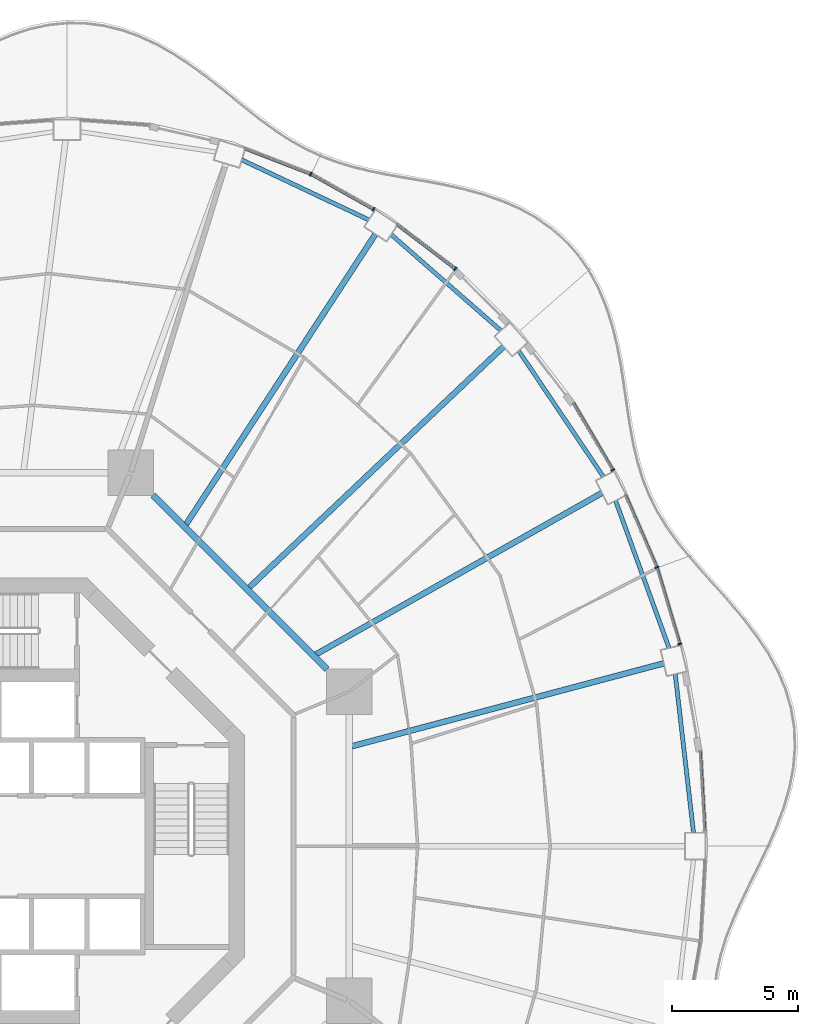
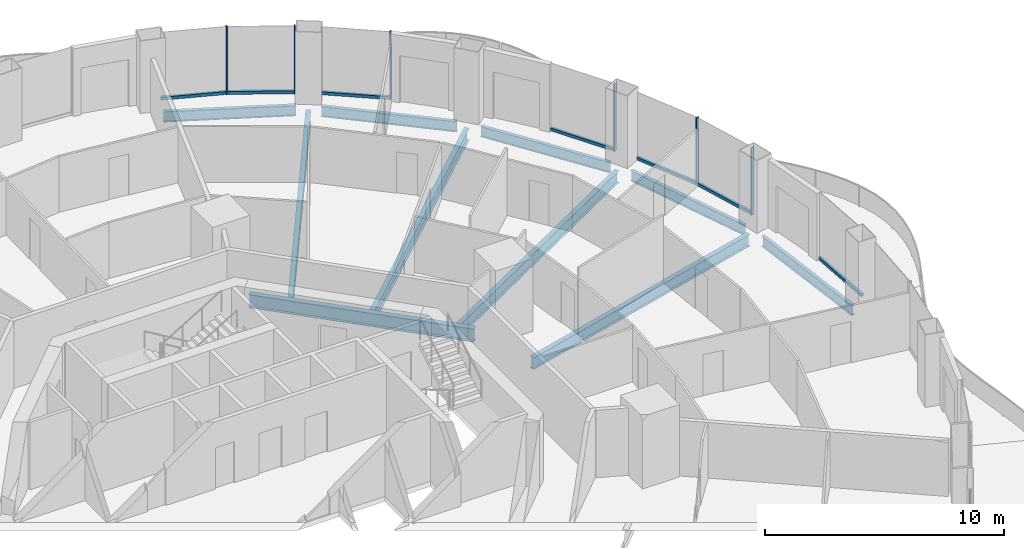
# One storey, part 8 of 19: 13 members, 10 beams, 7 elements without a shape of their own.
"""IFC4 building model written with IfcOpenShell, lengths in metres."""

import ifcopenshell
import ifcopenshell.guid

model = None  # the IFC model being written
_history = None  # IfcOwnerHistory: only IFC2X3 demands one
_inside = {}  # id of a spatial element -> (the spatial element, [elements in it])
_under = {}  # id of a project, library or spatial element -> (it, [spatial elements below it])
_declared = {}  # id of a project -> (the project, [libraries it declares])
_typed = {}  # id of a type object -> (the type object, [elements of that type])
_made_of = {}  # id of a material, layer set ... -> (it, [elements and type objects made of it])


def new_model(schema):
    """Start an empty IFC model of exactly this schema.

    Asked for "IFC4X3", IfcOpenShell would pick the latest addendum, in which some entities
    have other attributes; the version numbers below select the first issue.
    IFC2X3 requires an IfcOwnerHistory on every rooted entity: one is made here for all.
    """
    global model, _history
    if schema == "IFC4X3":
        model = ifcopenshell.file(schema_version=(4, 3, 0, 0))
    else:
        model = ifcopenshell.file(schema=schema)
    _inside.clear()
    _under.clear()
    _declared.clear()
    _typed.clear()
    _made_of.clear()
    _history = None
    if model.schema == "IFC2X3":
        org = make("IfcOrganization", Name="unknown")
        user = make(
            "IfcPersonAndOrganization",
            ThePerson=make("IfcPerson", FamilyName="unknown"),
            TheOrganization=org,
        )
        app = make(
            "IfcApplication",
            ApplicationDeveloper=org,
            Version="unknown",
            ApplicationFullName="unknown",
            ApplicationIdentifier="unknown",
        )
        _history = make(
            "IfcOwnerHistory",
            OwningUser=user,
            OwningApplication=app,
            ChangeAction="ADDED",
            CreationDate=0,
        )
    return model


def make(cls, **values):
    """One entity of the class cls with the attributes given. An attribute that is None is left unset."""
    return model.create_entity(
        cls, **{name: value for name, value in values.items() if value is not None}
    )


def rooted(cls, **values):
    """An entity with a GlobalId (a new one), such as an element, a storey or a relation."""
    return make(cls, GlobalId=ifcopenshell.guid.new(), OwnerHistory=_history, **values)


def si_unit(unit_type, name, prefix=None):
    """IfcSIUnit, for example si_unit("LENGTHUNIT", "METRE", prefix="MILLI")."""
    return make("IfcSIUnit", UnitType=unit_type, Prefix=prefix, Name=name)


def assignment(units):
    """IfcUnitAssignment: the units of a project."""
    return None if units is None else make("IfcUnitAssignment", Units=units)


def point(xyz):
    """IfcCartesianPoint."""
    return None if xyz is None else make("IfcCartesianPoint", Coordinates=xyz)


def direction(xyz):
    """IfcDirection."""
    return None if xyz is None else make("IfcDirection", DirectionRatios=xyz)


def frame(location, z_axis=None, x_axis=None):
    """IfcAxis2Placement3D, a coordinate frame: its origin and axes. An axis left out is left unset."""
    return make(
        "IfcAxis2Placement3D",
        Location=point(location),
        Axis=direction(z_axis),
        RefDirection=direction(x_axis),
    )


def frame_2d(location, x_axis=None):
    """IfcAxis2Placement2D, a coordinate frame in the plane: its origin and x axis."""
    return make(
        "IfcAxis2Placement2D", Location=point(location), RefDirection=direction(x_axis)
    )


def origin():
    """The frame at (0, 0, 0) with its axes left unset."""
    return frame((0.0, 0.0, 0.0))


def origin_2d():
    """The frame at (0, 0) in the plane with its x axis left unset."""
    return frame_2d((0.0, 0.0))


def place(relative_to, where):
    """IfcLocalPlacement: puts the frame where relative to a parent placement (None: the world)."""
    return make(
        "IfcLocalPlacement", PlacementRelTo=relative_to, RelativePlacement=where
    )


def context(
    kind, dimensions, precision=None, world=None, true_north=None, identifier=None
):
    """IfcGeometricRepresentationContext, for example the 3D "Model" context."""
    return make(
        "IfcGeometricRepresentationContext",
        ContextIdentifier=identifier,
        ContextType=kind,
        CoordinateSpaceDimension=dimensions,
        Precision=precision,
        WorldCoordinateSystem=world,
        TrueNorth=true_north,
    )


def subcontext(parent, identifier, kind, view, scale=None):
    """IfcGeometricRepresentationSubContext, for example "Body" below "Model"."""
    return make(
        "IfcGeometricRepresentationSubContext",
        ContextIdentifier=identifier,
        ContextType=kind,
        ParentContext=parent,
        TargetScale=scale,
        TargetView=view,
    )


def project(units=None, contexts=None):
    """IfcProject with its units and contexts."""
    return rooted(
        "IfcProject",
        Name="project",
        RepresentationContexts=contexts,
        UnitsInContext=assignment(units),
    )


def spatial(cls, under=None, at=None, **own):
    """A site, building, storey or space (cls), placed at a placement, below another one or the project."""
    s = rooted(cls, ObjectPlacement=at, **own)
    if under is not None:
        _under.setdefault(under.id(), (under, []))[1].append(s)
    return s


def profile(cls, at=None, kind="AREA", **sizes):
    """A parametric profile (cls). Its sizes go by their IFC names, for example OverallWidth=200.0."""
    return make(cls, ProfileType=kind, Position=at, **sizes)


def rectangle(**sizes):
    """IfcRectangleProfileDef."""
    return profile("IfcRectangleProfileDef", **sizes)


def i_section(**sizes):
    """IfcIShapeProfileDef."""
    return profile("IfcIShapeProfileDef", **sizes)


def extrude(swept, where, along, depth):
    """IfcExtrudedAreaSolid: the profile swept, set in the frame where, extruded along a direction by depth."""
    return make(
        "IfcExtrudedAreaSolid",
        SweptArea=swept,
        Position=where,
        ExtrudedDirection=direction(along),
        Depth=depth,
    )


def shape(context_of_items, identifier, shape_type, items):
    """IfcShapeRepresentation: the items that make up one representation, for example the "Body"."""
    return make(
        "IfcShapeRepresentation",
        ContextOfItems=context_of_items,
        RepresentationIdentifier=identifier,
        RepresentationType=shape_type,
        Items=items,
    )


def material(Name=None, Category=None):
    """IfcMaterial."""
    return make("IfcMaterial", Name=Name, Category=Category)


def layer(
    of_material, thickness, ventilated=None, Name=None, Category=None, Priority=None
):
    """IfcMaterialLayer: one layer of a wall or slab, of a material (None: an air gap)."""
    return make(
        "IfcMaterialLayer",
        Material=of_material,
        LayerThickness=thickness,
        IsVentilated=ventilated,
        Name=Name,
        Category=Category,
        Priority=Priority,
    )


def layer_set(layers, Name=None):
    """IfcMaterialLayerSet."""
    return make("IfcMaterialLayerSet", MaterialLayers=layers, LayerSetName=Name)


def material_profile(
    of_material, cross_section, Name=None, Category=None, Priority=None
):
    """IfcMaterialProfile: a cross section and its material."""
    return make(
        "IfcMaterialProfile",
        Name=Name,
        Material=of_material,
        Profile=cross_section,
        Priority=Priority,
        Category=Category,
    )


def profile_set(profiles, Name=None, composite=None):
    """IfcMaterialProfileSet."""
    return make(
        "IfcMaterialProfileSet",
        Name=Name,
        MaterialProfiles=profiles,
        CompositeProfile=composite,
    )


def made_of(thing, what):
    """Note that an element or type object is made of a material, layer set ...; save() writes the relation."""
    if what is not None:
        _made_of.setdefault(what.id(), (what, []))[1].append(thing)
    return thing


def type_object(cls, material=None, **own):
    """A type object (cls), such as IfcWallType, which elements share."""
    return made_of(rooted(cls, **own), material)


def element(
    cls,
    number,
    at=None,
    inside=None,
    cuts=None,
    type_object=None,
    material=None,
    context=None,
    identifier="Body",
    shape_type=None,
    held_by="IfcProductDefinitionShape",
    body=None,
    shapes=None,
    **own,
):
    """One element of the class cls, such as IfcWall. Its Tag is "e" and its number.

    at: its placement. inside: the storey or other place that contains it. cuts: it is an
    opening in that element (IfcRelVoidsElement). A single representation is given by context,
    identifier, shape_type and body (its items); several are given by shapes. held_by: the class
    of the entity that holds the representations. save() writes the other relations.
    """
    e = rooted(cls, Tag="e%d" % number, ObjectPlacement=at, **own)
    if body is not None:
        shapes = [shape(context, identifier, shape_type, body)]
    if shapes is not None:
        e.Representation = make(held_by, Representations=shapes)
    if inside is not None:
        _inside.setdefault(inside.id(), (inside, []))[1].append(e)
    if cuts is not None:
        rooted(
            "IfcRelVoidsElement", RelatingBuildingElement=cuts, RelatedOpeningElement=e
        )
    if type_object is not None:
        _typed.setdefault(type_object.id(), (type_object, []))[1].append(e)
    return made_of(e, material)


def aggregate(whole, parts):
    """IfcRelAggregates: a whole, such as a stair, and the parts it consists of."""
    return rooted("IfcRelAggregates", RelatingObject=whole, RelatedObjects=parts)


def save(model, path):
    """Write the relations noted so far, then the file.

    IfcRelAggregates (storeys below a building ...), IfcRelContainedInSpatialStructure (elements
    in a storey), IfcRelDefinesByType, IfcRelAssociatesMaterial and IfcRelDeclares: one each for
    every whole, place, type object, material and project.
    """
    for whole, parts in _under.values():
        aggregate(whole, parts)
    for where, things in _inside.values():
        rooted(
            "IfcRelContainedInSpatialStructure",
            RelatedElements=things,
            RelatingStructure=where,
        )
    for kind, things in _typed.values():
        rooted("IfcRelDefinesByType", RelatedObjects=things, RelatingType=kind)
    for what, things in _made_of.values():
        rooted("IfcRelAssociatesMaterial", RelatedObjects=things, RelatingMaterial=what)
    for by, libraries in _declared.values():
        rooted("IfcRelDeclares", RelatingContext=by, RelatedDefinitions=libraries)
    model.write(path)


model = new_model("IFC4")

# Units and contexts
model_context = context("Model", 3, precision=1e-05, world=origin(), true_north=direction((0.0, 1.0)))
body_context = subcontext(model_context, "Body", "Model", "MODEL_VIEW")
ifc_project = project(units=[si_unit("LENGTHUNIT", "METRE"), si_unit("AREAUNIT", "SQUARE_METRE"), si_unit("VOLUMEUNIT", "CUBIC_METRE"), si_unit("PLANEANGLEUNIT", "RADIAN"), si_unit("MASSUNIT", "GRAM", prefix="KILO")], contexts=[model_context])

# Site, building, storey
site_placement = place(None, origin())
site = spatial("IfcSite", under=ifc_project, at=site_placement, CompositionType="ELEMENT")
building_placement = place(site_placement, origin())
building = spatial("IfcBuilding", under=site, at=building_placement, Name="Nagisa Residences", CompositionType="ELEMENT")
storey_placement = place(building_placement, frame((0.0, 0.0, 188.10009765625)))
storey = spatial("IfcBuildingStorey", under=building, at=storey_placement, Name="L47", CompositionType="ELEMENT", Elevation=188.10009765625)

# Curtain wall, member
ifc_material_1 = material(Name="Concrete-coloured aluminium curtain wall system", Category="concrete")
ifc_layer = layer(ifc_material_1, 0.159912109375)
ifc_layer_set = layer_set([ifc_layer], Name="CW1 CURTAIN WALL")
curtain_wall_type = type_object("IfcCurtainWallType", Name="CW1 CURTAIN WALL", PredefinedType="NOTDEFINED", material=ifc_layer_set)
curtain_wall_1_placement = place(storey_placement, origin())
curtain_wall_1 = element("IfcCurtainWall", 1, at=curtain_wall_1_placement, inside=storey, type_object=curtain_wall_type, Name="cw:CW1:L47:02", PredefinedType="NOTDEFINED")
ifc_material_2 = material(Name="Concrete-coloured aluminium", Category="concrete")
ifc_material_profile_1 = material_profile(ifc_material_2, rectangle(XDim=0.159912109375, YDim=0.06005859375, at=origin_2d()), Name="CW1 MULLION 160x60")
ifc_profile_set_1 = profile_set([ifc_material_profile_1], Name="Concrete-coloured aluminium")
member_type_1 = type_object("IfcMemberType", Name="CW1 MULLION 160x60", PredefinedType="MULLION", material=ifc_profile_set_1)
member_1_placement = place(storey_placement, frame((27.867919921875, 8.00634765625, 0.0), z_axis=(0.0, 0.0, 1.0), x_axis=(-0.958271310082, -0.285860274038, 0.0)))
member_1 = element("IfcMember", 2, at=member_1_placement, type_object=member_type_1, Name="CW1 mullion", PredefinedType="MULLION", context=body_context, shape_type="SweptSolid", body=[
    extrude(rectangle(XDim=0.159912109375, YDim=0.06005859375, at=origin_2d()), origin(), (0.0, 0.0, 1.0), 3.43994140625),
])

curtain_wall_2_placement = place(storey_placement, origin())
curtain_wall_2 = element("IfcCurtainWall", 3, at=curtain_wall_2_placement, inside=storey, type_object=curtain_wall_type, Name="cw:CW1:L47:03", PredefinedType="NOTDEFINED")
member_2_placement = place(storey_placement, frame((26.9580078125, 11.045654296875, 0.0), z_axis=(0.0, 0.0, 1.0), x_axis=(-0.917543276295, -0.397635934147, 0.0)))
member_2 = element("IfcMember", 4, at=member_2_placement, type_object=member_type_1, Name="CW1 mullion", PredefinedType="MULLION", context=body_context, shape_type="SweptSolid", body=[
    extrude(rectangle(XDim=0.159912109375, YDim=0.06005859375, at=origin_2d()), origin(), (0.0, 0.0, 1.0), 3.43994140625),
])

curtain_wall_3_placement = place(storey_placement, origin())
curtain_wall_3 = element("IfcCurtainWall", 5, at=curtain_wall_3_placement, inside=storey, type_object=curtain_wall_type, Name="cw:CW1:L47:04", PredefinedType="NOTDEFINED")
member_3_placement = place(storey_placement, frame((25.212646484375, 14.897216796875, 0.0), z_axis=(0.0, 0.0, 1.0), x_axis=(-0.862328898214, -0.506348567002, 0.0)))
member_3 = element("IfcMember", 6, at=member_3_placement, type_object=member_type_1, Name="CW1 mullion", PredefinedType="MULLION", context=body_context, shape_type="SweptSolid", body=[
    extrude(rectangle(XDim=0.159912109375, YDim=0.06005859375, at=origin_2d()), origin(), (0.0, 0.0, 1.0), 3.43994140625),
])

curtain_wall_4_placement = place(storey_placement, origin())
curtain_wall_4 = element("IfcCurtainWall", 7, at=curtain_wall_4_placement, inside=storey, type_object=curtain_wall_type, Name="cw:CW1:L47:07", PredefinedType="NOTDEFINED")
member_4_placement = place(storey_placement, frame((18.97509765625, 22.862548828125, 0.0), z_axis=(0.0, 0.0, 1.0), x_axis=(-0.605255421737, -0.79603132756, 0.0)))
member_4 = element("IfcMember", 8, at=member_4_placement, type_object=member_type_1, Name="CW1 mullion", PredefinedType="MULLION", context=body_context, shape_type="SweptSolid", body=[
    extrude(rectangle(XDim=0.159912109375, YDim=0.06005859375, at=origin_2d()), origin(), (0.0, 0.0, 1.0), 3.43994140625),
])

curtain_wall_5_placement = place(storey_placement, origin())
curtain_wall_5 = element("IfcCurtainWall", 9, at=curtain_wall_5_placement, inside=storey, type_object=curtain_wall_type, Name="cw:CW1:L47:08", PredefinedType="NOTDEFINED")
member_5_placement = place(storey_placement, frame((15.742431640625, 25.220458984375, 0.0), z_axis=(0.0, 0.0, 1.0), x_axis=(-0.489376918501, -0.872072377523, 0.0)))
member_5 = element("IfcMember", 10, at=member_5_placement, type_object=member_type_1, Name="CW1 mullion", PredefinedType="MULLION", context=body_context, shape_type="SweptSolid", body=[
    extrude(rectangle(XDim=0.159912109375, YDim=0.06005859375, at=origin_2d()), origin(), (0.0, 0.0, 1.0), 3.43994140625),
])

curtain_wall_6_placement = place(storey_placement, origin())
curtain_wall_6 = element("IfcCurtainWall", 11, at=curtain_wall_6_placement, inside=storey, type_object=curtain_wall_type, Name="cw:CW1:L47:09", PredefinedType="NOTDEFINED")
member_6_placement = place(storey_placement, frame((13.253662109375, 26.61328125, 0.0), z_axis=(0.0, 0.0, 1.0), x_axis=(-0.360327770268, -0.932825759707, 0.0)))
member_6 = element("IfcMember", 12, at=member_6_placement, type_object=member_type_1, Name="CW1 mullion", PredefinedType="MULLION", context=body_context, shape_type="SweptSolid", body=[
    extrude(rectangle(XDim=0.159912109375, YDim=0.06005859375, at=origin_2d()), origin(), (0.0, 0.0, 1.0), 3.43994140625),
])

curtain_wall_7_placement = place(storey_placement, origin())
curtain_wall_7 = element("IfcCurtainWall", 13, at=curtain_wall_7_placement, inside=storey, type_object=curtain_wall_type, Name="cw:CW1:L47:00", PredefinedType="NOTDEFINED")
ifc_material_3 = material(Name="Concrete-coloured aluminium", Category="concrete")
ifc_material_profile_2 = material_profile(ifc_material_3, rectangle(XDim=0.1201171875, YDim=0.14990234375, at=origin_2d()), Name="CW1 TRANSOM 120x150")
ifc_profile_set_2 = profile_set([ifc_material_profile_2], Name="Concrete-coloured aluminium")
member_type_2 = type_object("IfcMemberType", Name="CW1 TRANSOM 120x150", PredefinedType="USERDEFINED", material=ifc_profile_set_2)
member_7_placement = place(storey_placement, frame((28.863525390625, 0.54443359375, 0.074951171875), z_axis=(-0.057528345118, 0.998343873376, 0.0), x_axis=(-0.998343873376, -0.057528345118, 0.0)))
member_7 = element("IfcMember", 14, at=member_7_placement, type_object=member_type_2, Name="CW1 transom", ObjectType="TRANSOM", PredefinedType="USERDEFINED", context=body_context, shape_type="SweptSolid", body=[
    extrude(rectangle(XDim=0.1201171875, YDim=0.14990234375, at=origin_2d()), origin(), (0.0, 0.0, 1.0), 3.225341796875),
])
aggregate(curtain_wall_7, [member_7])

# Member
member_8_placement = place(storey_placement, frame((27.87646484375, 7.9775390625, 0.074951171875), z_axis=(-0.28584838049, 0.958274857946, 0.0), x_axis=(-0.958274857946, -0.28584838049, 0.0)))
member_8 = element("IfcMember", 15, at=member_8_placement, type_object=member_type_2, Name="CW1 transom", ObjectType="TRANSOM", PredefinedType="USERDEFINED", context=body_context, shape_type="SweptSolid", body=[
    extrude(rectangle(XDim=0.1201171875, YDim=0.14990234375, at=origin_2d()), origin(), (0.0, 0.0, 1.0), 3.182373046875),
])

aggregate(curtain_wall_1, [member_1, member_8])

member_9_placement = place(storey_placement, frame((26.969970703125, 11.01806640625, 0.074951171875), z_axis=(-0.397592173732, 0.917562239517, 0.0), x_axis=(-0.917562239517, -0.397592173732, 0.0)))
member_9 = element("IfcMember", 16, at=member_9_placement, type_object=member_type_2, Name="CW1 transom", ObjectType="TRANSOM", PredefinedType="USERDEFINED", context=body_context, shape_type="SweptSolid", body=[
    extrude(rectangle(XDim=0.1201171875, YDim=0.14990234375, at=origin_2d()), origin(), (0.0, 0.0, 1.0), 3.14208984375),
])

aggregate(curtain_wall_2, [member_2, member_9])

member_10_placement = place(storey_placement, frame((25.22802734375, 14.871337890625, 0.074951171875), z_axis=(-0.506367803691, 0.862317602386, 0.0), x_axis=(-0.862317602386, -0.506367803691, 0.0)))
member_10 = element("IfcMember", 17, at=member_10_placement, type_object=member_type_2, Name="CW1 transom", ObjectType="TRANSOM", PredefinedType="USERDEFINED", context=body_context, shape_type="SweptSolid", body=[
    extrude(rectangle(XDim=0.1201171875, YDim=0.14990234375, at=origin_2d()), origin(), (0.0, 0.0, 1.0), 3.092041015625),
])

aggregate(curtain_wall_3, [member_3, member_10])

member_11_placement = place(storey_placement, frame((18.998779296875, 22.844482421875, 0.074951171875), z_axis=(-0.796025072301, 0.60526364856, 0.0), x_axis=(-0.60526364856, -0.796025072301, 0.0)))
member_11 = element("IfcMember", 18, at=member_11_placement, type_object=member_type_2, Name="CW1 transom", ObjectType="TRANSOM", PredefinedType="USERDEFINED", context=body_context, shape_type="SweptSolid", body=[
    extrude(rectangle(XDim=0.1201171875, YDim=0.14990234375, at=origin_2d()), origin(), (0.0, 0.0, 1.0), 2.916748046875),
])

aggregate(curtain_wall_4, [member_4, member_11])

member_12_placement = place(storey_placement, frame((15.768798828125, 25.205810546875, 0.074951171875), z_axis=(-0.872078262455, 0.489366431371, 0.0), x_axis=(-0.489366431371, -0.872078262455, 0.0)))
member_12 = element("IfcMember", 19, at=member_12_placement, type_object=member_type_2, Name="CW1 transom", ObjectType="TRANSOM", PredefinedType="USERDEFINED", context=body_context, shape_type="SweptSolid", body=[
    extrude(rectangle(XDim=0.1201171875, YDim=0.14990234375, at=origin_2d()), origin(), (0.0, 0.0, 1.0), 2.863525390625),
])

aggregate(curtain_wall_5, [member_5, member_12])

member_13_placement = place(storey_placement, frame((13.28173828125, 26.602294921875, 0.074951171875), z_axis=(-0.932795487898, 0.360406128911, 0.0), x_axis=(-0.360406128911, -0.932795487898, 0.0)))
member_13 = element("IfcMember", 20, at=member_13_placement, type_object=member_type_2, Name="CW1 transom", ObjectType="TRANSOM", PredefinedType="USERDEFINED", context=body_context, shape_type="SweptSolid", body=[
    extrude(rectangle(XDim=0.1201171875, YDim=0.14990234375, at=origin_2d()), origin(), (0.0, 0.0, 1.0), 2.8193359375),
])

aggregate(curtain_wall_6, [member_6, member_13])

# Beams
ifc_material_4 = material(Name="Steel ASTM A572 Gr 50", Category="steel")
ifc_material_profile_3 = material_profile(ifc_material_4, i_section(OverallWidth=0.25390625, OverallDepth=0.68408203125, WebThickness=0.012451171875, FlangeThickness=0.018798828125, at=origin_2d()), Name="W690x140")
ifc_profile_set_3 = profile_set([ifc_material_profile_3], Name="Steel ASTM A572 Gr 50")
beam_type_1 = type_object("IfcBeamType", Name="Inner ring beam W690x140", PredefinedType="BEAM", material=ifc_profile_set_3)
beam_1_placement = place(storey_placement, frame((13.896240234375, 7.0087890625, -0.60205078125), z_axis=(-0.707106781187, 0.707106781187, 0.0), x_axis=(-0.707106781187, -0.707106781187, 0.0)))
element("IfcBeam", 21, at=beam_1_placement, inside=storey, type_object=beam_type_1, Name="beam:L47:ib1", PredefinedType="BEAM", context=body_context, shape_type="SweptSolid", body=[
    extrude(i_section(OverallWidth=0.25390625, OverallDepth=0.68408203125, WebThickness=0.012451171875, FlangeThickness=0.018798828125, at=origin_2d()), origin(), (0.0, 0.0, 1.0), 9.740234375),
])
ifc_material_5 = material(Name="Steel ASTM A572 Gr 50", Category="steel")
ifc_material_profile_4 = material_profile(ifc_material_5, i_section(OverallWidth=0.166015625, OverallDepth=0.534912109375, WebThickness=0.01025390625, FlangeThickness=0.0166015625, at=origin_2d()), Name="W530x85")
ifc_profile_set_4 = profile_set([ifc_material_profile_4], Name="Steel ASTM A572 Gr 50")
beam_type_2 = type_object("IfcBeamType", Name="Perimeter ring beam W530x85", PredefinedType="BEAM", material=ifc_profile_set_4)
beam_2_placement = place(storey_placement, frame((28.413818359375, 0.530029296875, -0.527587890625), z_axis=(-0.11463289794, 0.993407921606, 0.0), x_axis=(-0.993407921606, -0.11463289794, 0.0)))
element("IfcBeam", 22, at=beam_2_placement, inside=storey, type_object=beam_type_2, Name="beam:L47:pb01", PredefinedType="BEAM", context=body_context, shape_type="SweptSolid", body=[
    extrude(i_section(OverallWidth=0.166015625, OverallDepth=0.534912109375, WebThickness=0.01025390625, FlangeThickness=0.0166015625, at=origin_2d()), origin(), (0.0, 0.0, 1.0), 6.325439453125),
])
beam_3_placement = place(storey_placement, frame((27.4453125, 7.845703125, -0.527587890625), z_axis=(-0.341320243926, 0.939947068237, 0.0), x_axis=(-0.939947068237, -0.341320243926, 0.0)))
element("IfcBeam", 23, at=beam_3_placement, inside=storey, type_object=beam_type_2, Name="beam:L47:pb02", PredefinedType="BEAM", context=body_context, shape_type="SweptSolid", body=[
    extrude(i_section(OverallWidth=0.166015625, OverallDepth=0.534912109375, WebThickness=0.01025390625, FlangeThickness=0.0166015625, at=origin_2d()), origin(), (0.0, 0.0, 1.0), 6.212890625),
])
beam_4_placement = place(storey_placement, frame((24.84423828125, 14.630615234375, -0.527587890625), z_axis=(-0.558152301307, 0.829738518177, 0.0), x_axis=(-0.829738518177, -0.558152301307, 0.0)))
element("IfcBeam", 24, at=beam_4_placement, inside=storey, type_object=beam_type_2, Name="beam:L47:pb03", PredefinedType="BEAM", context=body_context, shape_type="SweptSolid", body=[
    extrude(i_section(OverallWidth=0.166015625, OverallDepth=0.534912109375, WebThickness=0.01025390625, FlangeThickness=0.0166015625, at=origin_2d()), origin(), (0.0, 0.0, 1.0), 6.013916015625),
])
beam_5_placement = place(storey_placement, frame((20.786865234375, 20.416259765625, -0.527587890625), z_axis=(-0.752461486776, 0.658636250838, 0.0), x_axis=(-0.658636250838, -0.752461486776, 0.0)))
element("IfcBeam", 25, at=beam_5_placement, inside=storey, type_object=beam_type_2, Name="beam:L47:pb04", PredefinedType="BEAM", context=body_context, shape_type="SweptSolid", body=[
    extrude(i_section(OverallWidth=0.166015625, OverallDepth=0.534912109375, WebThickness=0.01025390625, FlangeThickness=0.0166015625, at=origin_2d()), origin(), (0.0, 0.0, 1.0), 5.776611328125),
])
beam_6_placement = place(storey_placement, frame((15.553466796875, 24.80224609375, -0.527587890625), z_axis=(-0.904157325884, 0.427199637232, 0.0), x_axis=(-0.427199637232, -0.904157325884, 0.0)))
element("IfcBeam", 26, at=beam_6_placement, inside=storey, type_object=beam_type_2, Name="beam:L47:pb05", PredefinedType="BEAM", context=body_context, shape_type="SweptSolid", body=[
    extrude(i_section(OverallWidth=0.166015625, OverallDepth=0.534912109375, WebThickness=0.01025390625, FlangeThickness=0.0166015625, at=origin_2d()), origin(), (0.0, 0.0, 1.0), 5.56396484375),
])
ifc_material_6 = material(Name="Steel ASTM A572 Gr 50", Category="steel")
ifc_material_profile_5 = material_profile(ifc_material_6, i_section(OverallWidth=0.22802734375, OverallDepth=0.60302734375, WebThickness=0.010498046875, FlangeThickness=0.014892578125, at=origin_2d()), Name="W610x101")
ifc_profile_set_5 = profile_set([ifc_material_profile_5], Name="Steel ASTM A572 Gr 50")
beam_type_3 = type_object("IfcBeamType", Name="Radial beam W610x101", PredefinedType="BEAM", material=ifc_profile_set_5)
beam_7_placement = place(storey_placement, frame((27.23583984375, 7.239990234375, -0.5615234375), z_axis=(-0.966436061719, -0.256907256826, 0.0), x_axis=(0.256907256826, -0.966436061719, 0.0)))
element("IfcBeam", 27, at=beam_7_placement, inside=storey, type_object=beam_type_3, Name="beam:L47:rb02", PredefinedType="BEAM", context=body_context, shape_type="SweptSolid", body=[
    extrude(i_section(OverallWidth=0.22802734375, OverallDepth=0.60302734375, WebThickness=0.010498046875, FlangeThickness=0.014892578125, at=origin_2d()), origin(), (0.0, 0.0, 1.0), 12.77490234375),
])
beam_8_placement = place(storey_placement, frame((24.789306640625, 13.98828125, -0.5615234375), z_axis=(-0.870904520395, -0.491452252366, 0.0), x_axis=(0.491452252366, -0.870904520395, 0.0)))
element("IfcBeam", 28, at=beam_8_placement, inside=storey, type_object=beam_type_3, Name="beam:L47:rb03", PredefinedType="BEAM", context=body_context, shape_type="SweptSolid", body=[
    extrude(i_section(OverallWidth=0.22802734375, OverallDepth=0.60302734375, WebThickness=0.010498046875, FlangeThickness=0.014892578125, at=origin_2d()), origin(), (0.0, 0.0, 1.0), 13.007080078125),
])
beam_9_placement = place(storey_placement, frame((20.89501953125, 19.785400390625, -0.5615234375), z_axis=(-0.726119962477, -0.687568033064, 0.0), x_axis=(0.687568033064, -0.726119962477, 0.0)))
element("IfcBeam", 29, at=beam_9_placement, inside=storey, type_object=beam_type_3, Name="beam:L47:rb04", PredefinedType="BEAM", context=body_context, shape_type="SweptSolid", body=[
    extrude(i_section(OverallWidth=0.22802734375, OverallDepth=0.60302734375, WebThickness=0.010498046875, FlangeThickness=0.014892578125, at=origin_2d()), origin(), (0.0, 0.0, 1.0), 13.88134765625),
])
beam_10_placement = place(storey_placement, frame((15.816162109375, 24.234375, -0.5615234375), z_axis=(-0.546541244511, -0.837432187135, 0.0), x_axis=(0.837432187135, -0.546541244511, 0.0)))
element("IfcBeam", 30, at=beam_10_placement, inside=storey, type_object=beam_type_3, Name="beam:L47:rb05", PredefinedType="BEAM", context=body_context, shape_type="SweptSolid", body=[
    extrude(i_section(OverallWidth=0.22802734375, OverallDepth=0.60302734375, WebThickness=0.010498046875, FlangeThickness=0.014892578125, at=origin_2d()), origin(), (0.0, 0.0, 1.0), 13.72412109375),
])

save(model, "model.ifc")
